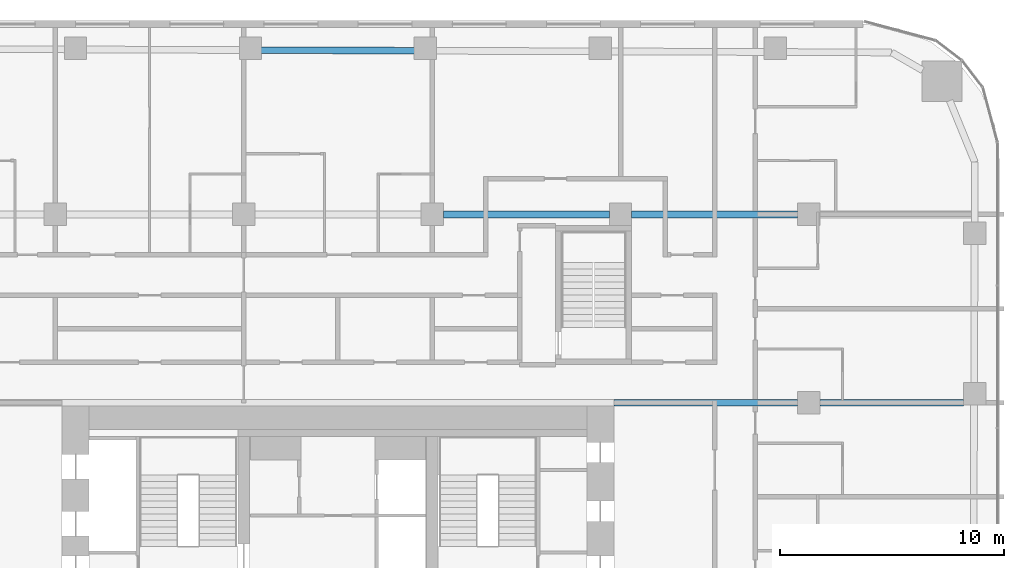
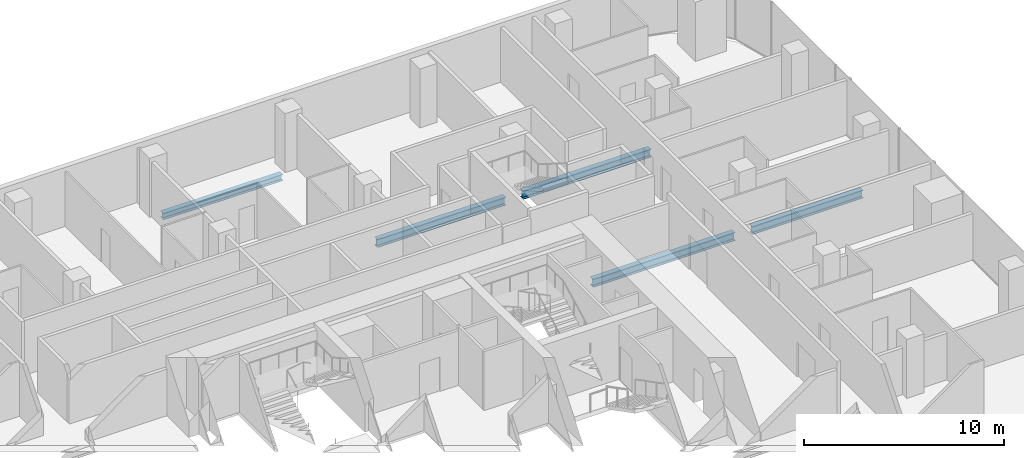
# One storey, part 11 of 26: 5 beams.
"""IFC4 building model written with IfcOpenShell, lengths in metres."""

from ifc_helpers import new_model, si_unit, direction, frame, origin, origin_2d, place, context, subcontext, project, spatial, i_section, extrude, material, material_profile, profile_set, type_object, element, save


model = new_model("IFC4")

# Units and contexts
model_context = context("Model", 3, precision=1e-05, world=origin(), true_north=direction((0.0, 1.0)))
body_context = subcontext(model_context, "Body", "Model", "MODEL_VIEW")
ifc_project = project(units=[si_unit("LENGTHUNIT", "METRE"), si_unit("AREAUNIT", "SQUARE_METRE"), si_unit("VOLUMEUNIT", "CUBIC_METRE"), si_unit("PLANEANGLEUNIT", "RADIAN"), si_unit("MASSUNIT", "GRAM", prefix="KILO")], contexts=[model_context])

# Site, building, storey
site_placement = place(None, origin())
site = spatial("IfcSite", under=ifc_project, at=site_placement, CompositionType="ELEMENT")
building_placement = place(site_placement, origin())
building = spatial("IfcBuilding", under=site, at=building_placement, Name="Marenta Gate Hotel Tower", CompositionType="ELEMENT")
storey_placement = place(building_placement, frame((0.0, 0.0, 65.300048828125)))
storey = spatial("IfcBuildingStorey", under=building, at=storey_placement, Name="L14", CompositionType="ELEMENT", Elevation=65.300048828125)

# Beams
ifc_material_1 = material(Name="Steel S355", Category="steel")
ifc_material_profile_1 = material_profile(ifc_material_1, i_section(OverallWidth=0.300048828125, OverallDepth=0.39990234375, WebThickness=0.013427734375, FlangeThickness=0.02392578125, FilletRadius=0.027099609375, at=origin_2d()), Name="HEB 400")
ifc_profile_set_1 = profile_set([ifc_material_profile_1], Name="Steel S355")
beam_type_1 = type_object("IfcBeamType", Name="Edge beam HEB 400", PredefinedType="SPANDREL", material=ifc_profile_set_1)
beam_1_placement = place(storey_placement, frame((-3.44140625, 32.52587890625, -0.4599609375), z_axis=(0.999993195747, -0.003688964684, 0.0), x_axis=(0.003688964684, 0.999993195747, 0.0)))
element("IfcBeam", 1, at=beam_1_placement, inside=storey, type_object=beam_type_1, Name="L14-EB-16", PredefinedType="SPANDREL", context=body_context, shape_type="SweptSolid", body=[
    extrude(i_section(OverallWidth=0.300048828125, OverallDepth=0.39990234375, WebThickness=0.013427734375, FlangeThickness=0.02392578125, FilletRadius=0.027099609375, at=origin_2d()), origin(), (0.0, 0.0, 1.0), 6.8828125),
])
ifc_material_2 = material(Name="Steel S355", Category="steel")
ifc_material_profile_2 = material_profile(ifc_material_2, i_section(OverallWidth=0.300048828125, OverallDepth=0.5, WebThickness=0.014404296875, FlangeThickness=0.028076171875, FilletRadius=0.027099609375, at=origin_2d()), Name="HEB 500")
ifc_profile_set_2 = profile_set([ifc_material_profile_2], Name="Steel S355")
beam_type_2 = type_object("IfcBeamType", Name="Girder HEB 500", PredefinedType="BEAM", material=ifc_profile_set_2)
beam_2_placement = place(storey_placement, frame((12.300048828125, 16.800048828125, -0.510009765625), z_axis=(1.0, 0.0, 0.0), x_axis=(0.0, 1.0, 0.0)))
element("IfcBeam", 2, at=beam_2_placement, inside=storey, type_object=beam_type_2, Name="L14-GD-20", PredefinedType="BEAM", context=body_context, shape_type="SweptSolid", body=[
    extrude(i_section(OverallWidth=0.300048828125, OverallDepth=0.5, WebThickness=0.014404296875, FlangeThickness=0.028076171875, FilletRadius=0.027099609375, at=origin_2d()), origin(), (0.0, 0.0, 1.0), 8.199951171875),
])
beam_3_placement = place(storey_placement, frame((21.5, 16.800048828125, -0.510009765625), z_axis=(1.0, 0.0, 0.0), x_axis=(0.0, 1.0, 0.0)))
element("IfcBeam", 3, at=beam_3_placement, inside=storey, type_object=beam_type_2, Name="L14-GD-21", PredefinedType="BEAM", context=body_context, shape_type="SweptSolid", body=[
    extrude(i_section(OverallWidth=0.300048828125, OverallDepth=0.5, WebThickness=0.014404296875, FlangeThickness=0.028076171875, FilletRadius=0.027099609375, at=origin_2d()), origin(), (0.0, 0.0, 1.0), 6.39990234375),
])
beam_4_placement = place(storey_placement, frame((4.699951171875, 25.199951171875, -0.510009765625), z_axis=(1.0, 0.0, 0.0), x_axis=(0.0, 1.0, 0.0)))
element("IfcBeam", 4, at=beam_4_placement, inside=storey, type_object=beam_type_2, Name="L14-GD-26", PredefinedType="BEAM", context=body_context, shape_type="SweptSolid", body=[
    extrude(i_section(OverallWidth=0.300048828125, OverallDepth=0.5, WebThickness=0.014404296875, FlangeThickness=0.028076171875, FilletRadius=0.027099609375, at=origin_2d()), origin(), (0.0, 0.0, 1.0), 7.400146484375),
])
beam_5_placement = place(storey_placement, frame((13.10009765625, 25.199951171875, -0.510009765625), z_axis=(1.0, 0.0, 0.0), x_axis=(0.0, 1.0, 0.0)))
element("IfcBeam", 5, at=beam_5_placement, inside=storey, type_object=beam_type_2, Name="L14-GD-27", PredefinedType="BEAM", context=body_context, shape_type="SweptSolid", body=[
    extrude(i_section(OverallWidth=0.300048828125, OverallDepth=0.5, WebThickness=0.014404296875, FlangeThickness=0.028076171875, FilletRadius=0.027099609375, at=origin_2d()), origin(), (0.0, 0.0, 1.0), 7.39990234375),
])

save(model, "model.ifc")
